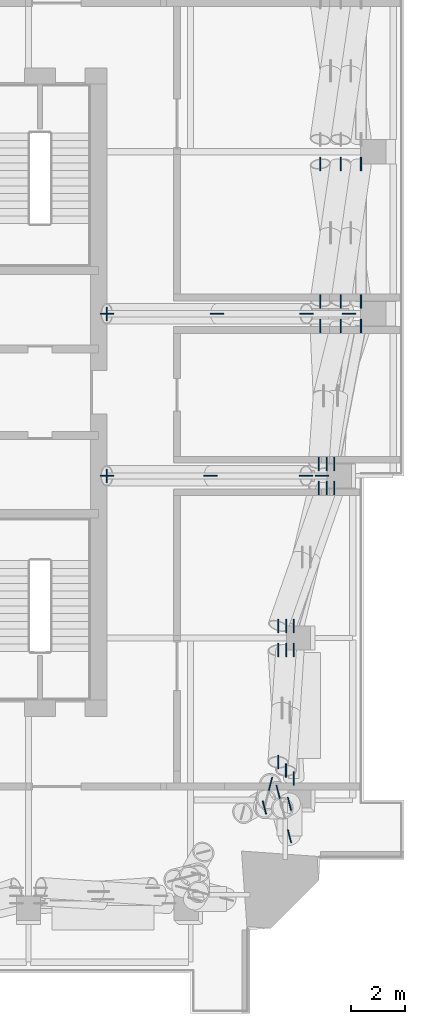
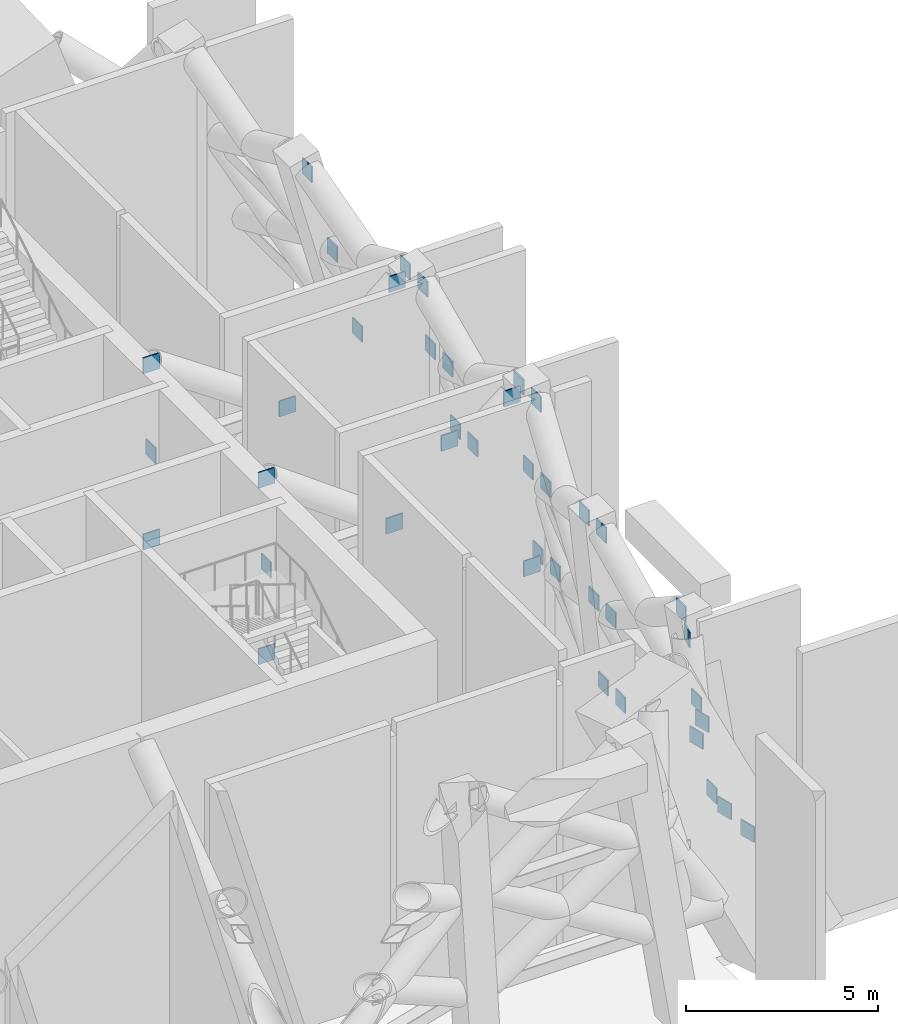
# One storey, part 13 of 18: 41 discrete accessories.
"""IFC4 building model written with IfcOpenShell, lengths in metres."""

from ifc_helpers import new_model, si_unit, direction, frame, origin, origin_2d, place, context, subcontext, project, spatial, rectangle, extrude, element, save


model = new_model("IFC4")

# Units and contexts
model_context = context("Model", 3, precision=1e-05, world=origin(), true_north=direction((0.0, 1.0)))
body_context = subcontext(model_context, "Body", "Model", "MODEL_VIEW")
ifc_project = project(units=[si_unit("LENGTHUNIT", "METRE"), si_unit("AREAUNIT", "SQUARE_METRE"), si_unit("VOLUMEUNIT", "CUBIC_METRE"), si_unit("PLANEANGLEUNIT", "RADIAN"), si_unit("MASSUNIT", "GRAM", prefix="KILO")], contexts=[model_context])

# Site, building, storey
site_placement = place(None, origin())
site = spatial("IfcSite", under=ifc_project, at=site_placement, CompositionType="ELEMENT")
building_placement = place(site_placement, origin())
building = spatial("IfcBuilding", under=site, at=building_placement, Name="Amberfall Residences", CompositionType="ELEMENT")
storey_placement = place(building_placement, frame((0.0, 0.0, 229.89990234375)))
storey = spatial("IfcBuildingStorey", under=building, at=storey_placement, Name="L62", CompositionType="ELEMENT", Elevation=229.89990234375)

# Discrete accessories
discrete_accessory_1_placement = place(storey_placement, frame((86.5, 42.39990234375, 5.4501953125), z_axis=(0.0, 0.0, 1.0), x_axis=(1.0, 0.0, 0.0)))
element("IfcDiscreteAccessory", 1, at=discrete_accessory_1_placement, inside=storey, Name="Cast-in plate L62", PredefinedType="BRACKET", context=body_context, shape_type="SweptSolid", body=[
    extrude(rectangle(XDim=0.0400390625, YDim=0.5, at=origin_2d()), origin(), (0.0, 0.0, 1.0), 0.5),
])
for number, where, z_axis, x_axis, name in (
    (2, (94.47119140625, 42.39990234375, 2.650146484375), (0.0, 0.0, 1.0), (1.0, 0.0, 0.0), "Connection plate L62"),
    (3, (90.33544921875, 42.39990234375, 5.4501953125), (0.0, 0.0, 1.0), (1.0, 0.0, 0.0), "Connection plate L62"),
    (4, (86.5, 42.39990234375, 2.650146484375), (0.0, 0.0, 1.0), (1.0, 0.0, 0.0), "Connection plate L62"),
    (5, (93.870849609375, 42.39990234375, 8.25), (0.0, 0.0, 1.0), (1.0, 0.0, 0.0), "Connection plate L62"),
    (6, (86.5, 42.39990234375, 8.25), (0.0, 0.0, 1.0), (1.0, 0.0, 0.0), "Connection plate L62"),
):
    element("IfcDiscreteAccessory", number, at=place(storey_placement, frame(where, z_axis=z_axis, x_axis=x_axis)), inside=storey, Name=name, PredefinedType="BRACKET", context=body_context, shape_type="SweptSolid", body=[
        extrude(rectangle(XDim=0.5, YDim=0.0400390625, at=origin_2d()), origin(), (0.0, 0.0, 1.0), 0.5),
    ])
discrete_accessory_2_placement = place(storey_placement, frame((86.5, 48.39990234375, 5.4501953125), z_axis=(0.0, 0.0, 1.0), x_axis=(1.0, 0.0, 0.0)))
element("IfcDiscreteAccessory", 7, at=discrete_accessory_2_placement, inside=storey, Name="Cast-in plate L62", PredefinedType="BRACKET", context=body_context, shape_type="SweptSolid", body=[
    extrude(rectangle(XDim=0.0400390625, YDim=0.5, at=origin_2d()), origin(), (0.0, 0.0, 1.0), 0.5),
])
for number, where, z_axis, x_axis, name in (
    (8, (95.4580078125, 48.39990234375, 2.650146484375), (0.0, 0.0, 1.0), (1.0, 0.0, 0.0), "Connection plate L62"),
    (9, (90.5859375, 48.39990234375, 5.4501953125), (0.0, 0.0, 1.0), (1.0, 0.0, 0.0), "Connection plate L62"),
    (10, (86.5, 48.39990234375, 2.650146484375), (0.0, 0.0, 1.0), (1.0, 0.0, 0.0), "Connection plate L62"),
    (11, (93.8857421875, 48.39990234375, 8.25), (0.0, 0.0, 1.0), (1.0, 0.0, 0.0), "Connection plate L62"),
    (12, (86.5, 48.39990234375, 8.25), (0.0, 0.0, 1.0), (1.0, 0.0, 0.0), "Connection plate L62"),
    (13, (93.421875, 31.1953125, 2.650146484375), (0.0, 0.0, 1.0), (0.0, 1.0, 0.0), "Connection plate L62"),
    (14, (93.1337890625, 35.949951171875, 5.4501953125), (0.0, 0.0, 1.0), (0.0, 1.0, 0.0), "Connection plate L62"),
    (15, (93.13330078125, 31.499267578125, 5.4501953125), (0.0, 0.0, 1.0), (0.0, 1.0, 0.0), "Connection plate L62"),
    (16, (93.421142578125, 35.949951171875, 2.650146484375), (0.0, 0.0, 1.0), (0.0, 1.0, 0.0), "Connection plate L62"),
    (17, (92.8466796875, 35.949951171875, 8.25), (0.0, 0.0, 1.0), (0.0, 1.0, 0.0), "Connection plate L62"),
    (18, (92.8447265625, 31.802978515625, 8.25), (0.0, 0.0, 1.0), (0.0, 1.0, 0.0), "Connection plate L62"),
    (19, (93.421142578125, 36.85009765625, 2.650146484375), (0.0, 0.0, 1.0), (0.0, 1.0, 0.0), "Connection plate L62"),
    (20, (94.6337890625, 41.949951171875, 5.4501953125), (0.0, 0.0, 1.0), (0.0, 1.0, 0.0), "Connection plate L62"),
    (21, (93.1337890625, 36.85009765625, 5.4501953125), (0.0, 0.0, 1.0), (0.0, 1.0, 0.0), "Connection plate L62"),
    (22, (94.921142578125, 41.949951171875, 2.650146484375), (0.0, 0.0, 1.0), (0.0, 1.0, 0.0), "Connection plate L62"),
    (23, (94.3466796875, 41.949951171875, 8.25), (0.0, 0.0, 1.0), (0.0, 1.0, 0.0), "Connection plate L62"),
    (24, (92.8466796875, 36.85009765625, 8.25), (0.0, 0.0, 1.0), (0.0, 1.0, 0.0), "Connection plate L62"),
    (25, (94.921142578125, 42.85009765625, 2.650146484375), (0.0, 0.0, 1.0), (0.0, 1.0, 0.0), "Connection plate L62"),
    (26, (95.155517578125, 47.949951171875, 5.4501953125), (0.0, 0.0, 1.0), (0.0, 1.0, 0.0), "Connection plate L62"),
    (27, (94.6337890625, 42.85009765625, 5.4501953125), (0.0, 0.0, 1.0), (0.0, 1.0, 0.0), "Connection plate L62"),
    (28, (95.907958984375, 47.949951171875, 2.650146484375), (0.0, 0.0, 1.0), (0.0, 1.0, 0.0), "Connection plate L62"),
    (29, (94.403076171875, 47.949951171875, 8.25), (0.0, 0.0, 1.0), (0.0, 1.0, 0.0), "Connection plate L62"),
    (30, (94.3466796875, 42.85009765625, 8.25), (0.0, 0.0, 1.0), (0.0, 1.0, 0.0), "Connection plate L62"),
    (31, (95.907958984375, 48.85009765625, 2.650146484375), (0.0, 0.0, 1.0), (0.0, 1.0, 0.0), "Connection plate L62"),
    (32, (95.155517578125, 53.949951171875, 5.4501953125), (0.0, 0.0, 1.0), (0.0, 1.0, 0.0), "Connection plate L62"),
    (33, (95.155517578125, 48.85009765625, 5.4501953125), (0.0, 0.0, 1.0), (0.0, 1.0, 0.0), "Connection plate L62"),
    (34, (95.907958984375, 53.949951171875, 2.650146484375), (0.0, 0.0, 1.0), (0.0, 1.0, 0.0), "Connection plate L62"),
    (35, (94.403076171875, 53.949951171875, 8.25), (0.0, 0.0, 1.0), (0.0, 1.0, 0.0), "Connection plate L62"),
    (36, (94.403076171875, 48.85009765625, 8.25), (0.0, 0.0, 1.0), (0.0, 1.0, 0.0), "Connection plate L62"),
    (37, (93.2626953125, 29.064453125, 2.75), (0.0, 0.0, 1.0), (-0.249197002009, 0.968452814643, 0.0), "Connection plate L62"),
    (38, (92.841064453125, 30.703369140625, 5.396484375), (0.0, 0.0, 1.0), (-0.249197002009, 0.968452814643, 0.0), "Connection plate L62"),
    (39, (92.333984375, 30.1240234375, 5.396484375), (0.0, 0.0, 1.0), (-0.249197002009, 0.968452814643, 0.0), "Connection plate L62"),
    (40, (93.2626953125, 30.259521484375, 2.75), (0.0, 0.0, 1.0), (-0.249197002009, 0.968452814643, 0.0), "Connection plate L62"),
    (41, (92.557861328125, 31.00146484375, 8.04296875), (0.0, 0.0, 1.0), (0.24715122231, 0.968976920938, 0.0), "Connection plate L62"),
):
    element("IfcDiscreteAccessory", number, at=place(storey_placement, frame(where, z_axis=z_axis, x_axis=x_axis)), inside=storey, Name=name, PredefinedType="BRACKET", context=body_context, shape_type="SweptSolid", body=[
        extrude(rectangle(XDim=0.5, YDim=0.0400390625, at=origin_2d()), origin(), (0.0, 0.0, 1.0), 0.5),
    ])

save(model, "model.ifc")
